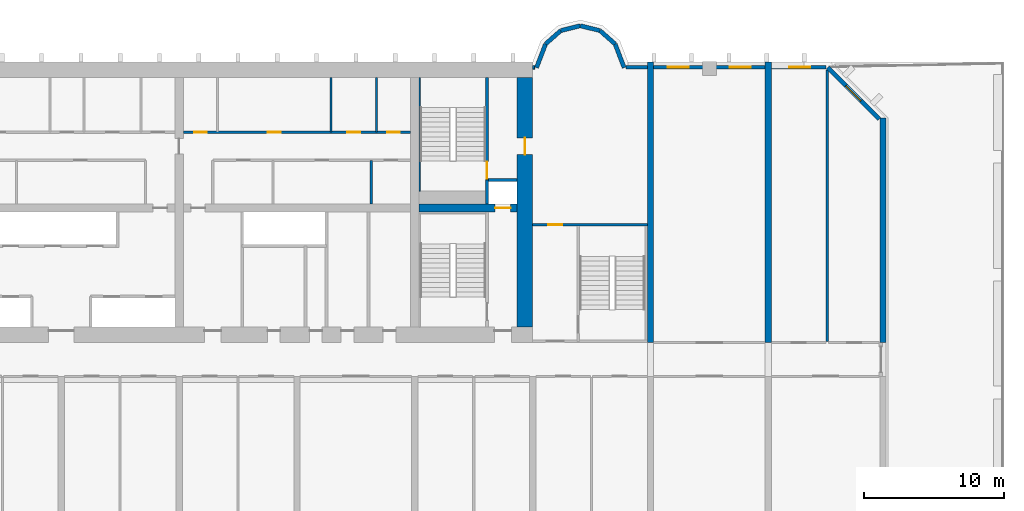
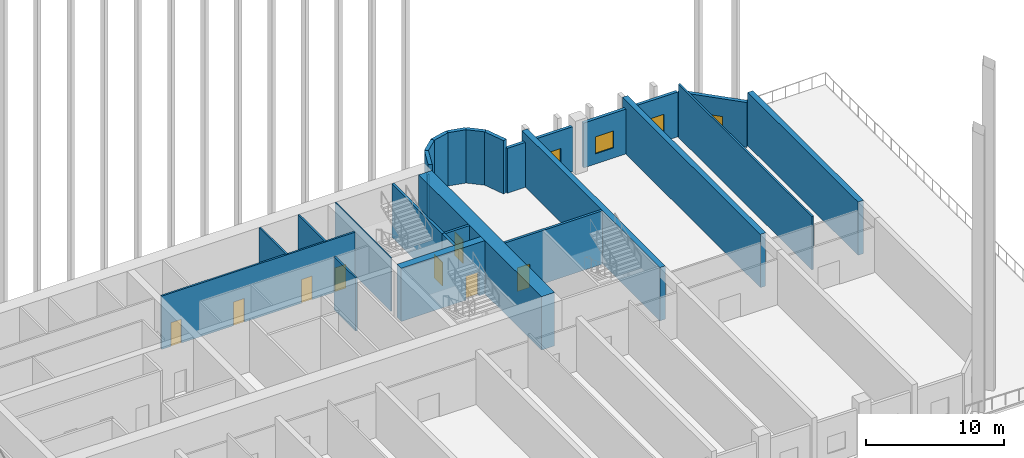
# One storey, part 8 of 11: 27 walls, 8 doors, 4 windows, 12 openings.
"""IFC4 building model written with IfcOpenShell, lengths in metres."""

from ifc_helpers import new_model, si_unit, direction, frame, frame_2d, origin, place, context, subcontext, project, spatial, rectangle, extrude, source, transform, mapped, material, layer, layer_set, type_object, element, fill, save


model = new_model("IFC4")

# Units and contexts
model_context = context("Model", 3, precision=1e-05, world=origin(), true_north=direction((0.0, 1.0)))
body_context = subcontext(model_context, "Body", "Model", "MODEL_VIEW")
ifc_project = project(units=[si_unit("LENGTHUNIT", "METRE"), si_unit("AREAUNIT", "SQUARE_METRE"), si_unit("VOLUMEUNIT", "CUBIC_METRE"), si_unit("PLANEANGLEUNIT", "RADIAN"), si_unit("MASSUNIT", "GRAM", prefix="KILO")], contexts=[model_context])

# Site, building, storey
site_placement = place(None, origin())
site = spatial("IfcSite", under=ifc_project, at=site_placement, CompositionType="ELEMENT")
building_placement = place(site_placement, origin())
building = spatial("IfcBuilding", under=site, at=building_placement, Name="Vanashikhar Sky Hotel", CompositionType="ELEMENT")
storey_placement = place(building_placement, frame((0.0, 0.0, 18.0)))
storey = spatial("IfcBuildingStorey", under=building, at=storey_placement, Name="L03", CompositionType="ELEMENT", Elevation=18.0)

# Wall, opening, door
ifc_material_1 = material(Name="Concrete M80", Category="concrete")
ifc_layer_1 = layer(ifc_material_1, 1.10009765625)
ifc_layer_set_1 = layer_set([ifc_layer_1], Name="RC core shell wall 1100 Concrete M80")
wall_type_1 = type_object("IfcWallType", Name="RC core shell wall 1100 Concrete M80", PredefinedType="SHEAR", material=ifc_layer_set_1)
shared_shape_1 = source(origin(), body_context, "Body", "SweptSolid", [
    extrude(rectangle(XDim=17.7998046875, YDim=1.10009765625, at=frame_2d((8.89990234375, 0.0))), origin(), (0.0, 0.0, 1.0), 4.719970703125),
])
wall_1_placement = place(storey_placement, frame((75.050048828125, 23.10009765625, 0.0), z_axis=(0.0, 0.0, 1.0), x_axis=(0.0, 1.0, 0.0)))
wall_1 = element("IfcWall", 1, at=wall_1_placement, inside=storey, type_object=wall_type_1, Name="KW-L03-KE", PredefinedType="SHEAR", context=body_context, shape_type="MappedRepresentation", body=[
    mapped(shared_shape_1, transform((0.0, 0.0, 0.0), scale=1.0)),
])
shared_shape_2 = source(origin(), body_context, "Body", "SweptSolid", [
    extrude(rectangle(XDim=1.199951171875, YDim=2.10009765625, at=frame_2d((0.60009765625, 1.050048828125))), frame((0.0, 0.56005859375, 0.0), z_axis=(0.0, -1.0, 0.0), x_axis=(1.0, 0.0, 0.0)), (0.0, 0.0, 1.0), 1.1201171875),
])
opening_1_placement = place(wall_1_placement, frame((12.300048828125, 0.0, 0.0)))
opening_1 = element("IfcOpeningElement", 2, at=opening_1_placement, cuts=wall_1, Name="Opening DC-4-D", PredefinedType="OPENING", context=body_context, shape_type="MappedRepresentation", body=[
    mapped(shared_shape_2, transform((0.0, 0.0, 0.0), scale=1.0)),
])
ifc_material_2 = material(Name="Steel", Category="steel")
door_type_1 = type_object("IfcDoorType", Name="Service door 1200 FD120", OperationType="NOTDEFINED", PredefinedType="DOOR", material=ifc_material_2)
shared_shape_3 = source(origin(), body_context, "Body", "SweptSolid", [
    extrude(rectangle(XDim=1.199951171875, YDim=2.10009765625, at=frame_2d((0.60009765625, 1.050048828125))), frame((0.0, 0.02490234375, 0.0), z_axis=(0.0, -1.0, 0.0), x_axis=(1.0, 0.0, 0.0)), (0.0, 0.0, 1.0), 0.050048828125),
])
door_1_placement = place(opening_1_placement, origin())
door_1 = element("IfcDoor", 3, at=door_1_placement, inside=storey, type_object=door_type_1, Name="Service door 1200 FD120", OperationType="SINGLE_SWING_RIGHT", OverallHeight=2.10009765625, OverallWidth=1.199951171875, PredefinedType="DOOR", context=body_context, shape_type="MappedRepresentation", body=[
    mapped(shared_shape_3, transform((0.0, 0.0, 0.0), scale=1.0)),
])
fill(opening_1, door_1)

ifc_layer_2 = layer(ifc_material_1, 0.60009765625)
ifc_layer_set_2 = layer_set([ifc_layer_2], Name="RC core inner wall 600 Concrete M80")
wall_type_2 = type_object("IfcWallType", Name="RC core inner wall 600 Concrete M80", PredefinedType="SHEAR", material=ifc_layer_set_2)
shared_shape_4 = source(origin(), body_context, "Body", "SweptSolid", [
    extrude(rectangle(XDim=7.0, YDim=0.60009765625, at=frame_2d((3.5, 0.0))), origin(), (0.0, 0.0, 1.0), 4.719970703125),
])
wall_2_placement = place(storey_placement, frame((67.5, 31.60009765625, 0.0), z_axis=(0.0, 0.0, 1.0), x_axis=(1.0, 0.0, 0.0)))
wall_2 = element("IfcWall", 4, at=wall_2_placement, inside=storey, type_object=wall_type_2, Name="KW-L03-KY4", PredefinedType="SHEAR", context=body_context, shape_type="MappedRepresentation", body=[
    mapped(shared_shape_4, transform((0.0, 0.0, 0.0), scale=1.0)),
])
shared_shape_5 = source(origin(), body_context, "Body", "SweptSolid", [
    extrude(rectangle(XDim=1.10009765625, YDim=2.10009765625, at=frame_2d((0.550048828125, 1.050048828125))), frame((0.0, 0.31005859375, 0.0), z_axis=(0.0, -1.0, 0.0), x_axis=(1.0, 0.0, 0.0)), (0.0, 0.0, 1.0), 0.6201171875),
])
opening_2_placement = place(wall_2_placement, frame((5.425048828125, 0.0, 0.0)))
opening_2 = element("IfcOpeningElement", 5, at=opening_2_placement, cuts=wall_2, Name="Opening LD", PredefinedType="OPENING", context=body_context, shape_type="MappedRepresentation", body=[
    mapped(shared_shape_5, transform((0.0, 0.0, 0.0), scale=1.0)),
])
ifc_material_3 = material(Name="Stainless steel", Category="steel")
door_type_2 = type_object("IfcDoorType", Name="Lift landing door 1100", OperationType="NOTDEFINED", PredefinedType="DOOR", material=ifc_material_3)
shared_shape_6 = source(origin(), body_context, "Body", "SweptSolid", [
    extrude(rectangle(XDim=1.10009765625, YDim=2.10009765625, at=frame_2d((0.550048828125, 1.050048828125))), frame((0.0, 0.02490234375, 0.0), z_axis=(0.0, -1.0, 0.0), x_axis=(1.0, 0.0, 0.0)), (0.0, 0.0, 1.0), 0.050048828125),
])
door_2_placement = place(opening_2_placement, origin())
door_2 = element("IfcDoor", 6, at=door_2_placement, inside=storey, type_object=door_type_2, Name="Lift landing door 1100", OperationType="SLIDING_TO_RIGHT", OverallHeight=2.10009765625, OverallWidth=1.10009765625, PredefinedType="DOOR", context=body_context, shape_type="MappedRepresentation", body=[
    mapped(shared_shape_6, transform((0.0, 0.0, 0.0), scale=1.0)),
])
fill(opening_2, door_2)

# Walls
ifc_layer_3 = layer(ifc_material_1, 0.449951171875)
ifc_layer_set_3 = layer_set([ifc_layer_3], Name="RC shear wall 450 Concrete M80")
wall_type_3 = type_object("IfcWallType", Name="RC shear wall 450 Concrete M80", PredefinedType="SHEAR", material=ifc_layer_set_3)
shared_shape_7 = source(origin(), body_context, "Body", "SweptSolid", [
    extrude(rectangle(XDim=16.0, YDim=0.449951171875, at=frame_2d((8.0, 0.0))), origin(), (0.0, 0.0, 1.0), 4.719970703125),
])
wall_3_placement = place(storey_placement, frame((100.574951171875, 22.0, 0.0), z_axis=(0.0, 0.0, 1.0), x_axis=(0.0, 1.0, 0.0)))
element("IfcWall", 7, at=wall_3_placement, inside=storey, type_object=wall_type_3, Name="CW-L03-XW13-2", PredefinedType="SHEAR", context=body_context, shape_type="MappedRepresentation", body=[
    mapped(shared_shape_7, transform((0.0, 0.0, 0.0), scale=1.0)),
])
shared_shape_8 = source(origin(), body_context, "Body", "SweptSolid", [
    extrude(rectangle(XDim=20.0, YDim=0.449951171875, at=frame_2d((10.0, 0.0))), origin(), (0.0, 0.0, 1.0), 4.719970703125),
])
for number, where, z_axis, x_axis, name in (
    (8, (84.0, 22.0, 0.0), (0.0, 0.0, 1.0), (0.0, 1.0, 0.0), "CW-L03-XW11-2"),
    (9, (92.39990234375, 22.0, 0.0), (0.0, 0.0, 1.0), (0.0, 1.0, 0.0), "CW-L03-XW12-2"),
):
    element("IfcWall", number, at=place(storey_placement, frame(where, z_axis=z_axis, x_axis=x_axis)), inside=storey, type_object=wall_type_3, Name=name, PredefinedType="SHEAR", context=body_context, shape_type="MappedRepresentation", body=[
        mapped(shared_shape_8, transform((0.0, 0.0, 0.0), scale=1.0)),
    ])

# Wall, opening, window
ifc_material_4 = material(Name="Concrete M50", Category="concrete")
ifc_layer_4 = layer(ifc_material_4, 0.25)
ifc_layer_set_4 = layer_set([ifc_layer_4], Name="Rear and end board-marked wall 250")
wall_type_4 = type_object("IfcWallType", Name="Rear and end board-marked wall 250", PredefinedType="SOLIDWALL", material=ifc_layer_set_4)
shared_shape_9 = source(origin(), body_context, "Body", "SweptSolid", [
    extrude(rectangle(XDim=3.52490234375, YDim=0.25, at=frame_2d((1.762451171875, 0.0))), origin(), (0.0, 0.0, 1.0), 3.969970703125),
])
wall_4_placement = place(storey_placement, frame((87.75, 41.625, 0.0), z_axis=(0.0, 0.0, 1.0), x_axis=(-1.0, 0.0, 0.0)))
wall_4 = element("IfcWall", 10, at=wall_4_placement, inside=storey, type_object=wall_type_4, Name="Podium external wall", PredefinedType="SOLIDWALL", context=body_context, shape_type="MappedRepresentation", body=[
    mapped(shared_shape_9, transform((0.0, 0.0, 0.0), scale=1.0)),
])
shared_shape_10 = source(origin(), body_context, "Body", "SweptSolid", [
    extrude(rectangle(XDim=1.5, YDim=1.5, at=frame_2d((0.75, 0.75))), frame((0.0, 0.135009765625, 0.0), z_axis=(0.0, -1.0, 0.0), x_axis=(1.0, 0.0, 0.0)), (0.0, 0.0, 1.0), 0.27001953125),
])
opening_3_placement = place(wall_4_placement, frame((1.012451171875, 0.0, 0.89990234375)))
opening_3 = element("IfcOpeningElement", 11, at=opening_3_placement, cuts=wall_4, Name="Opening WN-1", PredefinedType="OPENING", context=body_context, shape_type="MappedRepresentation", body=[
    mapped(shared_shape_10, transform((0.0, 0.0, 0.0), scale=1.0)),
])
ifc_material_5 = material(Name="Glass", Category="glass")
window_type = type_object("IfcWindowType", Name="Window 1500 x 1500", PartitioningType="SINGLE_PANEL", PredefinedType="WINDOW", material=ifc_material_5)
shared_shape_11 = source(origin(), body_context, "Body", "SweptSolid", [
    extrude(rectangle(XDim=1.5, YDim=1.5, at=frame_2d((0.75, 0.75))), frame((0.0, 0.030029296875, 0.0), z_axis=(0.0, -1.0, 0.0), x_axis=(1.0, 0.0, 0.0)), (0.0, 0.0, 1.0), 0.06005859375),
])
window_1_placement = place(opening_3_placement, origin())
window_1 = element("IfcWindow", 12, at=window_1_placement, inside=storey, type_object=window_type, Name="Window WN-1", OverallHeight=1.5, OverallWidth=1.5, PartitioningType="SINGLE_PANEL", PredefinedType="WINDOW", context=body_context, shape_type="MappedRepresentation", body=[
    mapped(shared_shape_11, transform((0.0, 0.0, 0.0), scale=1.0)),
])
fill(opening_3, window_1)

shared_shape_12 = source(origin(), body_context, "Body", "SweptSolid", [
    extrude(rectangle(XDim=3.525146484375, YDim=0.25, at=frame_2d((1.7626953125, 0.0))), origin(), (0.0, 0.0, 1.0), 3.969970703125),
])
wall_5_placement = place(storey_placement, frame((92.175048828125, 41.625, 0.0), z_axis=(0.0, 0.0, 1.0), x_axis=(-1.0, 0.0, 0.0)))
wall_5 = element("IfcWall", 13, at=wall_5_placement, inside=storey, type_object=wall_type_4, Name="Podium external wall", PredefinedType="SOLIDWALL", context=body_context, shape_type="MappedRepresentation", body=[
    mapped(shared_shape_12, transform((0.0, 0.0, 0.0), scale=1.0)),
])
opening_4_placement = place(wall_5_placement, frame((1.012451171875, 0.0, 0.89990234375)))
opening_4 = element("IfcOpeningElement", 14, at=opening_4_placement, cuts=wall_5, Name="Opening WN-1", PredefinedType="OPENING", context=body_context, shape_type="MappedRepresentation", body=[
    mapped(shared_shape_10, transform((0.0, 0.0, 0.0), scale=1.0)),
])
window_2_placement = place(opening_4_placement, origin())
window_2 = element("IfcWindow", 15, at=window_2_placement, inside=storey, type_object=window_type, Name="Window WN-1", OverallHeight=1.5, OverallWidth=1.5, PartitioningType="SINGLE_PANEL", PredefinedType="WINDOW", context=body_context, shape_type="MappedRepresentation", body=[
    mapped(shared_shape_11, transform((0.0, 0.0, 0.0), scale=1.0)),
])
fill(opening_4, window_2)

shared_shape_13 = source(origin(), body_context, "Body", "SweptSolid", [
    extrude(rectangle(XDim=3.899658203125, YDim=0.25, at=frame_2d((1.94970703125, 0.0))), origin(), (0.0, 0.0, 1.0), 3.969970703125),
])
wall_6_placement = place(storey_placement, frame((96.524658203125, 41.625, 0.0), z_axis=(0.0, 0.0, 1.0), x_axis=(-1.0, 0.0, 0.0)))
wall_6 = element("IfcWall", 16, at=wall_6_placement, inside=storey, type_object=wall_type_4, Name="Podium external wall", PredefinedType="SOLIDWALL", context=body_context, shape_type="MappedRepresentation", body=[
    mapped(shared_shape_13, transform((0.0, 0.0, 0.0), scale=1.0)),
])
opening_5_placement = place(wall_6_placement, frame((1.139892578125, 0.0, 0.89990234375)))
opening_5 = element("IfcOpeningElement", 17, at=opening_5_placement, cuts=wall_6, Name="Opening WN-1", PredefinedType="OPENING", context=body_context, shape_type="MappedRepresentation", body=[
    mapped(shared_shape_10, transform((0.0, 0.0, 0.0), scale=1.0)),
])
window_3_placement = place(opening_5_placement, origin())
window_3 = element("IfcWindow", 18, at=window_3_placement, inside=storey, type_object=window_type, Name="Window WN-1", OverallHeight=1.5, OverallWidth=1.5, PartitioningType="SINGLE_PANEL", PredefinedType="WINDOW", context=body_context, shape_type="MappedRepresentation", body=[
    mapped(shared_shape_11, transform((0.0, 0.0, 0.0), scale=1.0)),
])
fill(opening_5, window_3)

ifc_layer_5 = layer(ifc_material_4, 0.300048828125)
ifc_layer_set_5 = layer_set([ifc_layer_5], Name="Lobe wall 300")
wall_type_5 = type_object("IfcWallType", Name="Lobe wall 300", PredefinedType="SOLIDWALL", material=ifc_layer_set_5)
shared_shape_14 = source(origin(), body_context, "Body", "SweptSolid", [
    extrude(rectangle(XDim=5.173095703125, YDim=0.300048828125, at=frame_2d((2.58642578125, 0.0))), origin(), (0.0, 0.0, 1.0), 3.969970703125),
])
wall_7_placement = place(storey_placement, frame((100.292236328125, 37.942138671875, 0.0), z_axis=(0.0, 0.0, 1.0), x_axis=(-0.707106781187, 0.707106781187, 0.0)))
wall_7 = element("IfcWall", 19, at=wall_7_placement, inside=storey, type_object=wall_type_5, Name="Corner wall", PredefinedType="SOLIDWALL", context=body_context, shape_type="MappedRepresentation", body=[
    mapped(shared_shape_14, transform((0.0, 0.0, 0.0), scale=1.0)),
])
shared_shape_15 = source(origin(), body_context, "Body", "SweptSolid", [
    extrude(rectangle(XDim=1.5, YDim=1.5, at=frame_2d((0.75, 0.75))), frame((0.0, 0.16015625, 0.0), z_axis=(0.0, -1.0, 0.0), x_axis=(1.0, 0.0, 0.0)), (0.0, 0.0, 1.0), 0.320068359375),
])
opening_6_placement = place(wall_7_placement, frame((1.83642578125, 0.0, 0.89990234375)))
opening_6 = element("IfcOpeningElement", 20, at=opening_6_placement, cuts=wall_7, Name="Opening WN-1", PredefinedType="OPENING", context=body_context, shape_type="MappedRepresentation", body=[
    mapped(shared_shape_15, transform((0.0, 0.0, 0.0), scale=1.0)),
])
window_4_placement = place(opening_6_placement, origin())
window_4 = element("IfcWindow", 21, at=window_4_placement, inside=storey, type_object=window_type, Name="Window WN-1", OverallHeight=1.5, OverallWidth=1.5, PartitioningType="SINGLE_PANEL", PredefinedType="WINDOW", context=body_context, shape_type="MappedRepresentation", body=[
    mapped(shared_shape_11, transform((0.0, 0.0, 0.0), scale=1.0)),
])
fill(opening_6, window_4)

# Walls
shared_shape_16 = source(origin(), body_context, "Body", "SweptSolid", [
    extrude(rectangle(XDim=1.5126953125, YDim=0.25, at=frame_2d((0.75634765625, 0.0))), origin(), (0.0, 0.0, 1.0), 3.969970703125),
])
wall_8_placement = place(storey_placement, frame((83.77490234375, 41.625, 0.0), z_axis=(0.0, 0.0, 1.0), x_axis=(-1.0, 0.0, 0.0)))
element("IfcWall", 22, at=wall_8_placement, inside=storey, type_object=wall_type_4, Name="Podium external wall", PredefinedType="SOLIDWALL", context=body_context, shape_type="MappedRepresentation", body=[
    mapped(shared_shape_16, transform((0.0, 0.0, 0.0), scale=1.0)),
])
shared_shape_17 = source(origin(), body_context, "Body", "SweptSolid", [
    extrude(rectangle(XDim=1.81201171875, YDim=0.300048828125, at=frame_2d((0.906005859375, 0.0))), origin(), (0.0, 0.0, 1.0), 4.719970703125),
])
for number, where, z_axis, x_axis, name in (
    (23, (82.125, 41.60009765625, 0.0), (0.0, 0.0, 1.0), (-0.357877270961, 0.93376863244, 0.0), "Lobe wall"),
    (24, (76.5234375, 43.2919921875, 0.0), (0.0, 0.0, 1.0), (-0.357877270961, -0.93376863244, 0.0), "Lobe wall"),
):
    element("IfcWall", number, at=place(storey_placement, frame(where, z_axis=z_axis, x_axis=x_axis)), inside=storey, type_object=wall_type_5, Name=name, PredefinedType="SOLIDWALL", context=body_context, shape_type="MappedRepresentation", body=[
        mapped(shared_shape_17, transform((0.0, 0.0, 0.0), scale=1.0)),
    ])
shared_shape_18 = source(origin(), body_context, "Body", "SweptSolid", [
    extrude(rectangle(XDim=1.43994140625, YDim=0.300048828125, at=frame_2d((0.719970703125, 0.0))), origin(), (0.0, 0.0, 1.0), 4.719970703125),
])
for number, where, z_axis, x_axis, name in (
    (25, (81.4765625, 43.2919921875, 0.0), (0.0, 0.0, 1.0), (-0.74957555648, 0.661918790432, 0.0), "Lobe wall"),
    (26, (77.602783203125, 44.2451171875, 0.0), (0.0, 0.0, 1.0), (-0.74957555648, -0.661918790432, 0.0), "Lobe wall"),
):
    element("IfcWall", number, at=place(storey_placement, frame(where, z_axis=z_axis, x_axis=x_axis)), inside=storey, type_object=wall_type_5, Name=name, PredefinedType="SOLIDWALL", context=body_context, shape_type="MappedRepresentation", body=[
        mapped(shared_shape_18, transform((0.0, 0.0, 0.0), scale=1.0)),
    ])
shared_shape_19 = source(origin(), body_context, "Body", "SweptSolid", [
    extrude(rectangle(XDim=1.438720703125, YDim=0.300048828125, at=frame_2d((0.71923828125, 0.0))), origin(), (0.0, 0.0, 1.0), 4.719970703125),
])
for number, where, z_axis, x_axis, name in (
    (27, (80.397216796875, 44.2451171875, 0.0), (0.0, 0.0, 1.0), (-0.971161932466, 0.238420848351, 0.0), "Lobe wall"),
    (28, (79.0, 44.588134765625, 0.0), (0.0, 0.0, 1.0), (-0.971161932466, -0.238420848351, 0.0), "Lobe wall"),
):
    element("IfcWall", number, at=place(storey_placement, frame(where, z_axis=z_axis, x_axis=x_axis)), inside=storey, type_object=wall_type_5, Name=name, PredefinedType="SOLIDWALL", context=body_context, shape_type="MappedRepresentation", body=[
        mapped(shared_shape_19, transform((0.0, 0.0, 0.0), scale=1.0)),
    ])
shared_shape_20 = source(origin(), body_context, "Body", "SweptSolid", [
    extrude(rectangle(XDim=0.1376953125, YDim=0.25, at=frame_2d((0.06884765625, 0.0))), origin(), (0.0, 0.0, 1.0), 3.969970703125),
])
wall_9_placement = place(storey_placement, frame((75.73779296875, 41.625, 0.0), z_axis=(0.0, 0.0, 1.0), x_axis=(-1.0, 0.0, 0.0)))
element("IfcWall", 29, at=wall_9_placement, inside=storey, type_object=wall_type_4, Name="Podium external wall", PredefinedType="SOLIDWALL", context=body_context, shape_type="MappedRepresentation", body=[
    mapped(shared_shape_20, transform((0.0, 0.0, 0.0), scale=1.0)),
])
ifc_material_6 = material(Name="Gypsum board partition")
ifc_layer_6 = layer(ifc_material_6, 0.14990234375)
ifc_layer_set_6 = layer_set([ifc_layer_6], Name="Service partition 150")
wall_type_6 = type_object("IfcWallType", Name="Service partition 150", PredefinedType="PARTITIONING", material=ifc_layer_set_6)
shared_shape_21 = source(origin(), body_context, "Body", "SweptSolid", [
    extrude(rectangle(XDim=3.10009765625, YDim=0.14990234375, at=frame_2d((1.550048828125, 0.0))), origin(), (0.0, 0.0, 1.0), 4.719970703125),
])
wall_10_placement = place(storey_placement, frame((64.094970703125, 31.89990234375, 0.0), z_axis=(0.0, 0.0, 1.0), x_axis=(0.0, 1.0, 0.0)))
element("IfcWall", 30, at=wall_10_placement, inside=storey, type_object=wall_type_6, Name="Service partition 150", PredefinedType="PARTITIONING", context=body_context, shape_type="MappedRepresentation", body=[
    mapped(shared_shape_21, transform((0.0, 0.0, 0.0), scale=1.0)),
])
shared_shape_22 = source(origin(), body_context, "Body", "SweptSolid", [
    extrude(rectangle(XDim=3.89990234375, YDim=0.14990234375, at=frame_2d((1.949951171875, 0.0))), origin(), (0.0, 0.0, 1.0), 4.719970703125),
])
for number, where, z_axis, x_axis, name in (
    (31, (64.469970703125, 37.0, 0.0), (0.0, 0.0, 1.0), (0.0, 1.0, 0.0), "Service partition 150"),
    (32, (61.22998046875, 37.0, 0.0), (0.0, 0.0, 1.0), (0.0, 1.0, 0.0), "Service partition 150"),
):
    element("IfcWall", number, at=place(storey_placement, frame(where, z_axis=z_axis, x_axis=x_axis)), inside=storey, type_object=wall_type_6, Name=name, PredefinedType="PARTITIONING", context=body_context, shape_type="MappedRepresentation", body=[
        mapped(shared_shape_22, transform((0.0, 0.0, 0.0), scale=1.0)),
    ])

# Wall, openings, doors
shared_shape_23 = source(origin(), body_context, "Body", "SweptSolid", [
    extrude(rectangle(XDim=16.199951171875, YDim=0.14990234375, at=frame_2d((8.10009765625, 0.0))), origin(), (0.0, 0.0, 1.0), 4.719970703125),
])
wall_11_placement = place(storey_placement, frame((66.89990234375, 37.0, 0.0), z_axis=(0.0, 0.0, 1.0), x_axis=(-1.0, 0.0, 0.0)))
wall_11 = element("IfcWall", 33, at=wall_11_placement, inside=storey, type_object=wall_type_6, Name="Service partition 150", PredefinedType="PARTITIONING", context=body_context, shape_type="MappedRepresentation", body=[
    mapped(shared_shape_23, transform((0.0, 0.0, 0.0), scale=1.0)),
])
shared_shape_24 = source(origin(), body_context, "Body", "SweptSolid", [
    extrude(rectangle(XDim=0.89990234375, YDim=2.10009765625, at=frame_2d((0.449951171875, 1.050048828125))), frame((0.0, 0.0849609375, 0.0), z_axis=(0.0, -1.0, 0.0), x_axis=(1.0, 0.0, 0.0)), (0.0, 0.0, 1.0), 0.169921875),
])
opening_7_placement = place(wall_11_placement, frame((0.764892578125, 0.0, 0.0)))
opening_7 = element("IfcOpeningElement", 34, at=opening_7_placement, cuts=wall_11, Name="Opening DC-4-A", PredefinedType="OPENING", context=body_context, shape_type="MappedRepresentation", body=[
    mapped(shared_shape_24, transform((0.0, 0.0, 0.0), scale=1.0)),
])
opening_8_placement = place(wall_11_placement, frame((3.60009765625, 0.0, 0.0)))
opening_8 = element("IfcOpeningElement", 35, at=opening_8_placement, cuts=wall_11, Name="Opening DC-4-A", PredefinedType="OPENING", context=body_context, shape_type="MappedRepresentation", body=[
    mapped(shared_shape_24, transform((0.0, 0.0, 0.0), scale=1.0)),
])
opening_9_placement = place(wall_11_placement, frame((9.27001953125, 0.0, 0.0)))
opening_9 = element("IfcOpeningElement", 36, at=opening_9_placement, cuts=wall_11, Name="Opening DC-4-A", PredefinedType="OPENING", context=body_context, shape_type="MappedRepresentation", body=[
    mapped(shared_shape_24, transform((0.0, 0.0, 0.0), scale=1.0)),
])
opening_10_placement = place(wall_11_placement, frame((14.534912109375, 0.0, 0.0)))
opening_10 = element("IfcOpeningElement", 37, at=opening_10_placement, cuts=wall_11, Name="Opening DC-4-A", PredefinedType="OPENING", context=body_context, shape_type="MappedRepresentation", body=[
    mapped(shared_shape_24, transform((0.0, 0.0, 0.0), scale=1.0)),
])
door_type_3 = type_object("IfcDoorType", Name="Service door 900 FD60", OperationType="NOTDEFINED", PredefinedType="DOOR", material=ifc_material_2)
shared_shape_25 = source(origin(), body_context, "Body", "SweptSolid", [
    extrude(rectangle(XDim=0.89990234375, YDim=2.10009765625, at=frame_2d((0.449951171875, 1.050048828125))), frame((0.0, 0.02490234375, 0.0), z_axis=(0.0, -1.0, 0.0), x_axis=(1.0, 0.0, 0.0)), (0.0, 0.0, 1.0), 0.050048828125),
])
door_3_placement = place(opening_7_placement, origin())
door_3 = element("IfcDoor", 38, at=door_3_placement, inside=storey, type_object=door_type_3, Name="Service door 900 FD60", OperationType="SINGLE_SWING_LEFT", OverallHeight=2.10009765625, OverallWidth=0.89990234375, PredefinedType="DOOR", context=body_context, shape_type="MappedRepresentation", body=[
    mapped(shared_shape_25, transform((0.0, 0.0, 0.0), scale=1.0)),
])
fill(opening_7, door_3)
door_4_placement = place(opening_8_placement, origin())
door_4 = element("IfcDoor", 39, at=door_4_placement, inside=storey, type_object=door_type_3, Name="Service door 900 FD60", OperationType="SINGLE_SWING_LEFT", OverallHeight=2.10009765625, OverallWidth=0.89990234375, PredefinedType="DOOR", context=body_context, shape_type="MappedRepresentation", body=[
    mapped(shared_shape_25, transform((0.0, 0.0, 0.0), scale=1.0)),
])
fill(opening_8, door_4)
door_5_placement = place(opening_9_placement, origin())
door_5 = element("IfcDoor", 40, at=door_5_placement, inside=storey, type_object=door_type_3, Name="Service door 900 FD60", OperationType="SINGLE_SWING_RIGHT", OverallHeight=2.10009765625, OverallWidth=0.89990234375, PredefinedType="DOOR", context=body_context, shape_type="MappedRepresentation", body=[
    mapped(shared_shape_25, transform((0.0, 0.0, 0.0), scale=1.0)),
])
fill(opening_9, door_5)
door_6_placement = place(opening_10_placement, origin())
door_6 = element("IfcDoor", 41, at=door_6_placement, inside=storey, type_object=door_type_3, Name="Service door 900 FD60", OperationType="SINGLE_SWING_RIGHT", OverallHeight=2.10009765625, OverallWidth=0.89990234375, PredefinedType="DOOR", context=body_context, shape_type="MappedRepresentation", body=[
    mapped(shared_shape_25, transform((0.0, 0.0, 0.0), scale=1.0)),
])
fill(opening_10, door_6)

# Wall
ifc_material_7 = material(Name="Concrete M40", Category="concrete")
ifc_layer_7 = layer(ifc_material_7, 0.199951171875)
ifc_layer_set_7 = layer_set([ifc_layer_7], Name="Shaft wall 200")
wall_type_7 = type_object("IfcWallType", Name="Shaft wall 200", PredefinedType="SOLIDWALL", material=ifc_layer_set_7)
shared_shape_26 = source(origin(), body_context, "Body", "SweptSolid", [
    extrude(rectangle(XDim=1.7001953125, YDim=0.199951171875, at=frame_2d((0.85009765625, 0.0))), origin(), (0.0, 0.0, 1.0), 4.719970703125),
])
wall_12_placement = place(storey_placement, frame((72.35009765625, 31.89990234375, 0.0), z_axis=(0.0, 0.0, 1.0), x_axis=(0.0, 1.0, 0.0)))
element("IfcWall", 42, at=wall_12_placement, inside=storey, type_object=wall_type_7, Name="Shaft wall 200", PredefinedType="SOLIDWALL", context=body_context, shape_type="MappedRepresentation", body=[
    mapped(shared_shape_26, transform((0.0, 0.0, 0.0), scale=1.0)),
])

# Wall, opening, door
ifc_layer_8 = layer(ifc_material_4, 0.199951171875)
ifc_layer_set_8 = layer_set([ifc_layer_8], Name="Stair wall 200")
wall_type_8 = type_object("IfcWallType", Name="Stair wall 200", PredefinedType="SOLIDWALL", material=ifc_layer_set_8)
shared_shape_27 = source(origin(), body_context, "Body", "SweptSolid", [
    extrude(rectangle(XDim=7.2998046875, YDim=0.199951171875, at=frame_2d((3.64990234375, 0.0))), origin(), (0.0, 0.0, 1.0), 4.719970703125),
])
wall_13_placement = place(storey_placement, frame((72.35009765625, 33.60009765625, 0.0), z_axis=(0.0, 0.0, 1.0), x_axis=(0.0, 1.0, 0.0)))
wall_13 = element("IfcWall", 43, at=wall_13_placement, inside=storey, type_object=wall_type_8, Name="Stair wall 200", PredefinedType="SOLIDWALL", context=body_context, shape_type="MappedRepresentation", body=[
    mapped(shared_shape_27, transform((0.0, 0.0, 0.0), scale=1.0)),
])
shared_shape_28 = source(origin(), body_context, "Body", "SweptSolid", [
    extrude(rectangle(XDim=1.199951171875, YDim=2.10009765625, at=frame_2d((0.60009765625, 1.050048828125))), frame((0.0, 0.10986328125, 0.0), z_axis=(0.0, -1.0, 0.0), x_axis=(1.0, 0.0, 0.0)), (0.0, 0.0, 1.0), 0.219970703125),
])
opening_11_placement = place(wall_13_placement, frame((0.10009765625, 0.0, 0.0)))
opening_11 = element("IfcOpeningElement", 44, at=opening_11_placement, cuts=wall_13, Name="Opening DC-1", PredefinedType="OPENING", context=body_context, shape_type="MappedRepresentation", body=[
    mapped(shared_shape_28, transform((0.0, 0.0, 0.0), scale=1.0)),
])
door_type_4 = type_object("IfcDoorType", Name="Stair door 1200 FD120", OperationType="NOTDEFINED", PredefinedType="DOOR", material=ifc_material_2)
door_7_placement = place(opening_11_placement, origin())
door_7 = element("IfcDoor", 45, at=door_7_placement, inside=storey, type_object=door_type_4, Name="Stair door 1200 FD120", OperationType="SINGLE_SWING_RIGHT", OverallHeight=2.10009765625, OverallWidth=1.199951171875, PredefinedType="DOOR", context=body_context, shape_type="MappedRepresentation", body=[
    mapped(shared_shape_3, transform((0.0, 0.0, 0.0), scale=1.0)),
])
fill(opening_11, door_7)

# Wall
shared_shape_29 = source(origin(), body_context, "Body", "SweptSolid", [
    extrude(rectangle(XDim=2.050048828125, YDim=0.199951171875, at=frame_2d((1.02490234375, 0.0))), origin(), (0.0, 0.0, 1.0), 4.719970703125),
])
wall_14_placement = place(storey_placement, frame((72.449951171875, 33.60009765625, 0.0), z_axis=(0.0, 0.0, 1.0), x_axis=(1.0, 0.0, 0.0)))
element("IfcWall", 46, at=wall_14_placement, inside=storey, type_object=wall_type_7, Name="Shaft wall 200", PredefinedType="SOLIDWALL", context=body_context, shape_type="MappedRepresentation", body=[
    mapped(shared_shape_29, transform((0.0, 0.0, 0.0), scale=1.0)),
])

# Wall, opening, door
shared_shape_30 = source(origin(), body_context, "Body", "SweptSolid", [
    extrude(rectangle(XDim=8.1748046875, YDim=0.199951171875, at=frame_2d((4.08740234375, 0.0))), origin(), (0.0, 0.0, 1.0), 4.719970703125),
])
wall_15_placement = place(storey_placement, frame((83.77490234375, 30.39990234375, 0.0), z_axis=(0.0, 0.0, 1.0), x_axis=(-1.0, 0.0, 0.0)))
wall_15 = element("IfcWall", 47, at=wall_15_placement, inside=storey, type_object=wall_type_8, Name="Stair wall 200", PredefinedType="SOLIDWALL", context=body_context, shape_type="MappedRepresentation", body=[
    mapped(shared_shape_30, transform((0.0, 0.0, 0.0), scale=1.0)),
])
shared_shape_31 = source(origin(), body_context, "Body", "SweptSolid", [
    extrude(rectangle(XDim=1.0, YDim=2.10009765625, at=frame_2d((0.5, 1.050048828125))), frame((0.0, 0.10986328125, 0.0), z_axis=(0.0, -1.0, 0.0), x_axis=(1.0, 0.0, 0.0)), (0.0, 0.0, 1.0), 0.219970703125),
])
opening_12_placement = place(wall_15_placement, frame((6.074951171875, 0.0, 0.0)))
opening_12 = element("IfcOpeningElement", 48, at=opening_12_placement, cuts=wall_15, Name="Opening DC-6", PredefinedType="OPENING", context=body_context, shape_type="MappedRepresentation", body=[
    mapped(shared_shape_31, transform((0.0, 0.0, 0.0), scale=1.0)),
])
door_type_5 = type_object("IfcDoorType", Name="Pocket door 1000 FD60", OperationType="NOTDEFINED", PredefinedType="DOOR", material=ifc_material_2)
shared_shape_32 = source(origin(), body_context, "Body", "SweptSolid", [
    extrude(rectangle(XDim=1.0, YDim=2.10009765625, at=frame_2d((0.5, 1.050048828125))), frame((0.0, 0.02490234375, 0.0), z_axis=(0.0, -1.0, 0.0), x_axis=(1.0, 0.0, 0.0)), (0.0, 0.0, 1.0), 0.050048828125),
])
door_8_placement = place(opening_12_placement, origin())
door_8 = element("IfcDoor", 49, at=door_8_placement, inside=storey, type_object=door_type_5, Name="Pocket door 1000 FD60", OperationType="SINGLE_SWING_RIGHT", OverallHeight=2.10009765625, OverallWidth=1.0, PredefinedType="DOOR", context=body_context, shape_type="MappedRepresentation", body=[
    mapped(shared_shape_32, transform((0.0, 0.0, 0.0), scale=1.0)),
])
fill(opening_12, door_8)

# Walls
ifc_layer_9 = layer(ifc_material_4, 0.10009765625)
ifc_layer_set_9 = layer_set([ifc_layer_9], Name="Stair infill wall 100")
wall_type_9 = type_object("IfcWallType", Name="Stair infill wall 100", PredefinedType="SOLIDWALL", material=ifc_layer_set_9)
shared_shape_33 = source(origin(), body_context, "Body", "SweptSolid", [
    extrude(rectangle(XDim=8.099853515625, YDim=0.10009765625, at=frame_2d((4.0498046875, 0.0))), origin(), (0.0, 0.0, 1.0), 4.719970703125),
])
wall_16_placement = place(storey_placement, frame((67.550048828125, 32.800048828125, 0.0), z_axis=(0.0, 0.0, 1.0), x_axis=(0.0, 1.0, 0.0)))
element("IfcWall", 50, at=wall_16_placement, inside=storey, type_object=wall_type_9, Name="Stair infill wall 100", PredefinedType="SOLIDWALL", context=body_context, shape_type="MappedRepresentation", body=[
    mapped(shared_shape_33, transform((0.0, 0.0, 0.0), scale=1.0)),
])
ifc_material_8 = material(Name="Gypsum plasterboard partition")
ifc_layer_10 = layer(ifc_material_8, 0.14990234375)
ifc_layer_set_10 = layer_set([ifc_layer_10], Name="Corridor and demising partition 150")
wall_type_10 = type_object("IfcWallType", Name="Corridor and demising partition 150", PredefinedType="PARTITIONING", material=ifc_layer_set_10)
shared_shape_34 = source(origin(), body_context, "Body", "SweptSolid", [
    extrude(rectangle(XDim=19.34716796875, YDim=0.14990234375, at=frame_2d((9.673583984375, 0.0))), origin(), (0.0, 0.0, 1.0), 4.719970703125),
])
wall_17_placement = place(storey_placement, frame((96.60009765625, 22.074951171875, 0.0), z_axis=(0.0, 0.0, 1.0), x_axis=(0.0, 1.0, 0.0)))
element("IfcWall", 51, at=wall_17_placement, inside=storey, type_object=wall_type_10, Name="W-L03-PW034", PredefinedType="PARTITIONING", context=body_context, shape_type="MappedRepresentation", body=[
    mapped(shared_shape_34, transform((0.0, 0.0, 0.0), scale=1.0)),
])

save(model, "model.ifc")
